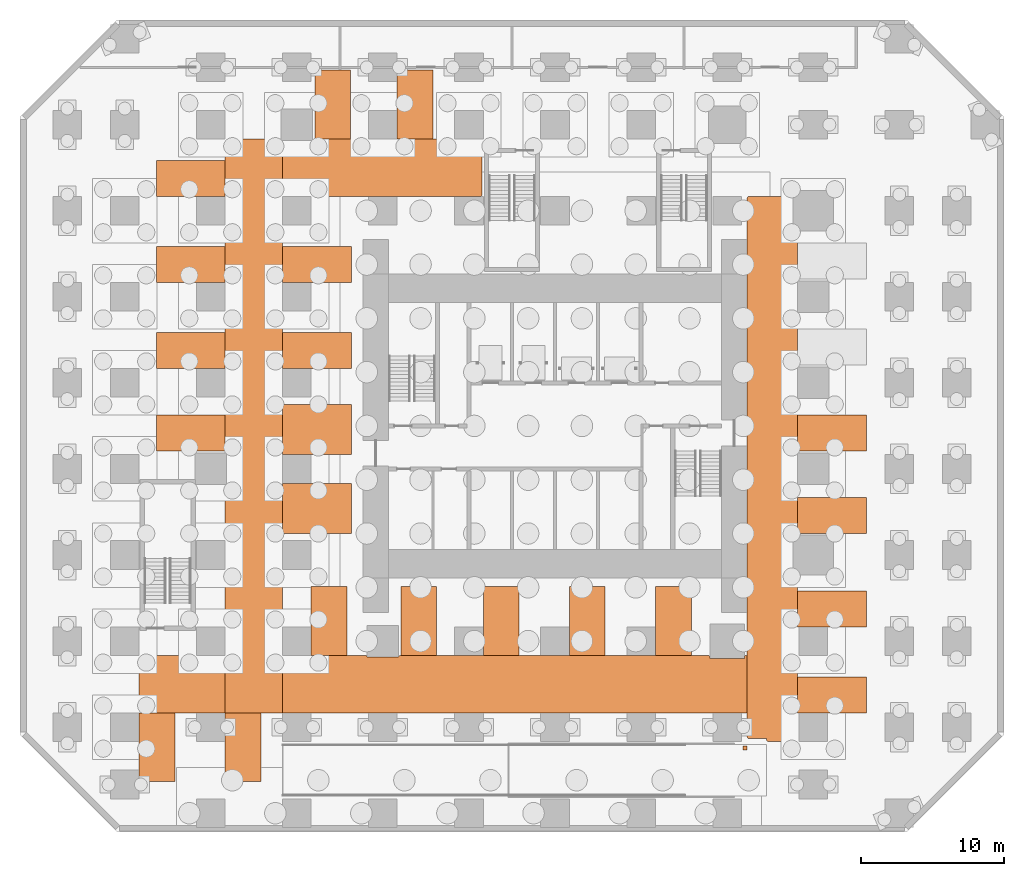
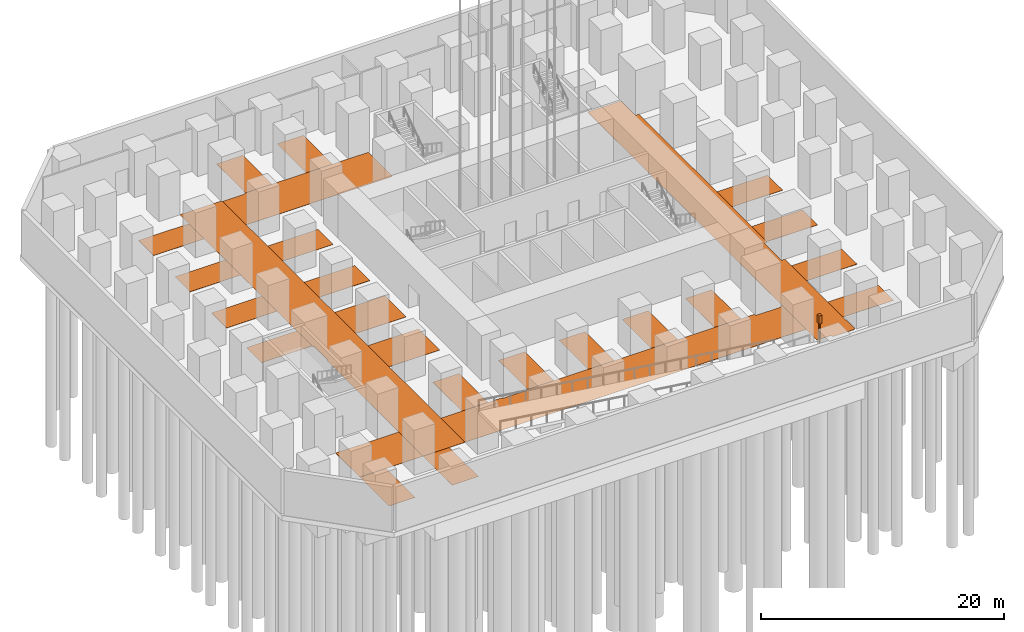
# One storey, part 8 of 11: 26 proxies.
"""IFC4 building model written with IfcOpenShell, lengths in metres."""

from ifc_helpers import new_model, si_unit, direction, frame, origin, origin_2d, place, context, subcontext, project, spatial, polyline, rectangle, outline, extrude, material, type_object, element, save


model = new_model("IFC4")

# Units and contexts
model_context = context("Model", 3, precision=1e-05, world=origin(), true_north=direction((0.0, 1.0)))
body_context = subcontext(model_context, "Body", "Model", "MODEL_VIEW")
ifc_project = project(units=[si_unit("LENGTHUNIT", "METRE"), si_unit("AREAUNIT", "SQUARE_METRE"), si_unit("VOLUMEUNIT", "CUBIC_METRE"), si_unit("PLANEANGLEUNIT", "RADIAN"), si_unit("MASSUNIT", "GRAM", prefix="KILO")], contexts=[model_context])

# Site, building, storey
site_placement = place(None, origin())
site = spatial("IfcSite", under=ifc_project, at=site_placement, CompositionType="ELEMENT")
building_placement = place(site_placement, origin())
building = spatial("IfcBuilding", under=site, at=building_placement, Name="Highveld Stack Headquarters", CompositionType="ELEMENT")
storey_placement = place(building_placement, frame((0.0, 0.0, -9.0)))
storey = spatial("IfcBuildingStorey", under=building, at=storey_placement, Name="B2", CompositionType="ELEMENT", Elevation=-9.0)

# Proxies
ifc_material_1 = material(Name="Marking paint")
building_element_proxy_type_1 = type_object("IfcBuildingElementProxyType", Name="ACCESSIBLE PARKING BAY MARKING", PredefinedType="USERDEFINED", material=ifc_material_1)
proxy_1_placement = place(storey_placement, origin())
element("IfcBuildingElementProxy", 1, at=proxy_1_placement, inside=storey, type_object=building_element_proxy_type_1, Name="Accessible parking bay marking B2-PA1", ObjectType="ACCESSIBLE PARKING BAY MARKING", PredefinedType="USERDEFINED", context=body_context, shape_type="SweptSolid", body=[
    extrude(outline(polyline([(-8.199951171875, 1.0), (-8.199951171875, 4.5), (-13.0, 4.5), (-13.0, 1.0), (-8.199951171875, 1.0)])), origin(), (0.0, 0.0, 1.0), 0.02001953125),
])
proxy_2_placement = place(storey_placement, origin())
element("IfcBuildingElementProxy", 2, at=proxy_2_placement, inside=storey, type_object=building_element_proxy_type_1, Name="Accessible parking bay marking B2-PA2", ObjectType="ACCESSIBLE PARKING BAY MARKING", PredefinedType="USERDEFINED", context=body_context, shape_type="SweptSolid", body=[
    extrude(outline(polyline([(-8.199951171875, -4.5), (-8.199951171875, -1.0), (-13.0, -1.0), (-13.0, -4.5), (-8.199951171875, -4.5)])), origin(), (0.0, 0.0, 1.0), 0.02001953125),
])
ifc_material_2 = material(Name="Marking paint")
building_element_proxy_type_2 = type_object("IfcBuildingElementProxyType", Name="CAR PARK DRIVE AISLE MARKING", PredefinedType="USERDEFINED", material=ifc_material_2)
proxy_3_placement = place(storey_placement, origin())
element("IfcBuildingElementProxy", 3, at=proxy_3_placement, inside=storey, type_object=building_element_proxy_type_2, Name="Car park drive aisle marking B2-D1", ObjectType="CAR PARK DRIVE AISLE MARKING", PredefinedType="USERDEFINED", context=body_context, shape_type="SweptSolid", body=[
    extrude(outline(polyline([(19.39990234375, 18.8798828125), (19.40087890625, 18.89208984375), (19.402099609375, 18.903076171875), (19.405029296875, 18.9150390625), (19.408935546875, 18.926025390625), (19.4140625, 18.93701171875), (19.419921875, 18.947021484375), (19.427001953125, 18.9560546875), (19.43505859375, 18.965087890625), (19.444091796875, 18.972900390625), (19.452880859375, 18.97998046875), (19.462890625, 18.986083984375), (19.47412109375, 18.990966796875), (19.485107421875, 18.9951171875), (19.4970703125, 18.998046875), (19.508056640625, 18.9990234375), (19.52001953125, 19.0), (22.47998046875, 19.0), (22.491943359375, 18.9990234375), (22.5029296875, 18.998046875), (22.514892578125, 18.9951171875), (22.52587890625, 18.990966796875), (22.537109375, 18.986083984375), (22.547119140625, 18.97998046875), (22.555908203125, 18.972900390625), (22.56494140625, 18.965087890625), (22.572998046875, 18.9560546875), (22.580078125, 18.947021484375), (22.5859375, 18.93701171875), (22.591064453125, 18.926025390625), (22.594970703125, 18.9150390625), (22.597900390625, 18.903076171875), (22.59912109375, 18.89208984375), (22.60009765625, 18.8798828125), (22.60009765625, 16.60302734375), (22.60009765625, 16.60009765625), (22.60302734375, 16.60009765625), (22.780029296875, 16.60009765625), (22.7919921875, 16.59912109375), (22.802978515625, 16.597900390625), (22.81494140625, 16.594970703125), (22.825927734375, 16.591064453125), (22.8369140625, 16.5859375), (22.846923828125, 16.580078125), (22.85595703125, 16.572998046875), (22.864990234375, 16.56494140625), (22.873046875, 16.555908203125), (22.8798828125, 16.547119140625), (22.885986328125, 16.537109375), (22.89111328125, 16.52587890625), (22.89501953125, 16.514892578125), (22.89794921875, 16.5029296875), (22.89892578125, 16.491943359375), (22.89990234375, 16.47998046875), (22.89990234375, -4.47998046875), (22.89892578125, -4.491943359375), (22.89794921875, -4.5029296875), (22.89501953125, -4.514892578125), (22.89111328125, -4.52587890625), (22.885986328125, -4.537109375), (22.8798828125, -4.547119140625), (22.873046875, -4.555908203125), (22.864990234375, -4.56494140625), (22.85595703125, -4.572998046875), (22.846923828125, -4.580078125), (22.8369140625, -4.5859375), (22.825927734375, -4.591064453125), (22.81494140625, -4.594970703125), (22.802978515625, -4.597900390625), (22.7919921875, -4.59912109375), (22.780029296875, -4.60009765625), (22.60302734375, -4.60009765625), (22.60009765625, -4.60009765625), (22.60009765625, -4.60302734375), (22.60009765625, -7.39697265625), (22.60009765625, -7.39990234375), (22.60302734375, -7.39990234375), (22.780029296875, -7.39990234375), (22.7919921875, -7.40087890625), (22.802978515625, -7.402099609375), (22.81494140625, -7.405029296875), (22.825927734375, -7.408935546875), (22.8369140625, -7.4140625), (22.846923828125, -7.419921875), (22.85595703125, -7.427001953125), (22.864990234375, -7.43505859375), (22.873046875, -7.444091796875), (22.8798828125, -7.452880859375), (22.885986328125, -7.462890625), (22.89111328125, -7.47412109375), (22.89501953125, -7.485107421875), (22.89794921875, -7.4970703125), (22.89892578125, -7.508056640625), (22.89990234375, -7.52001953125), (22.89990234375, -18.8798828125), (22.89892578125, -18.89208984375), (22.89794921875, -18.903076171875), (22.89501953125, -18.9150390625), (22.89111328125, -18.926025390625), (22.885986328125, -18.93701171875), (22.8798828125, -18.947021484375), (22.873046875, -18.9560546875), (22.864990234375, -18.965087890625), (22.85595703125, -18.972900390625), (22.846923828125, -18.97998046875), (22.8369140625, -18.986083984375), (22.825927734375, -18.990966796875), (22.81494140625, -18.9951171875), (22.802978515625, -18.998046875), (22.7919921875, -18.9990234375), (22.780029296875, -19.0), (20.8701171875, -19.0), (20.85791015625, -18.9990234375), (20.846923828125, -18.998046875), (20.8349609375, -18.9951171875), (20.823974609375, -18.990966796875), (20.81298828125, -18.986083984375), (20.802978515625, -18.97998046875), (20.7939453125, -18.972900390625), (20.784912109375, -18.965087890625), (20.777099609375, -18.9560546875), (20.77001953125, -18.947021484375), (20.763916015625, -18.93701171875), (20.759033203125, -18.926025390625), (20.7548828125, -18.9150390625), (20.751953125, -18.903076171875), (20.7509765625, -18.89208984375), (20.75, -18.8798828125), (20.75, -18.802978515625), (20.75, -18.800048828125), (20.7470703125, -18.800048828125), (19.52001953125, -18.800048828125), (19.508056640625, -18.799072265625), (19.4970703125, -18.798095703125), (19.485107421875, -18.794921875), (19.47412109375, -18.791015625), (19.462890625, -18.785888671875), (19.452880859375, -18.780029296875), (19.444091796875, -18.77294921875), (19.43505859375, -18.764892578125), (19.427001953125, -18.756103515625), (19.419921875, -18.7470703125), (19.4140625, -18.737060546875), (19.408935546875, -18.72607421875), (19.405029296875, -18.715087890625), (19.402099609375, -18.702880859375), (19.40087890625, -18.69189453125), (19.39990234375, -18.679931640625), (19.39990234375, -17.0029296875), (19.39990234375, -12.9970703125), (19.39990234375, 18.8798828125)])), origin(), (0.0, 0.0, 1.0), 0.02001953125),
])
proxy_4_placement = place(storey_placement, origin())
element("IfcBuildingElementProxy", 4, at=proxy_4_placement, inside=storey, type_object=building_element_proxy_type_2, Name="Car park drive aisle marking B2-D2", ObjectType="CAR PARK DRIVE AISLE MARKING", PredefinedType="USERDEFINED", context=body_context, shape_type="SweptSolid", body=[
    extrude(outline(polyline([(-7.218017578125, -13.0), (-7.20703125, -13.0009765625), (-7.196044921875, -13.001953125), (-7.18408203125, -13.0048828125), (-7.174072265625, -13.009033203125), (-7.1630859375, -13.012939453125), (-7.154052734375, -13.01904296875), (-7.14404296875, -13.02587890625), (-7.135986328125, -13.032958984375), (-7.1279296875, -13.041015625), (-7.12109375, -13.050048828125), (-7.114013671875, -13.06005859375), (-7.10888671875, -13.070068359375), (-7.10498046875, -13.080078125), (-7.10205078125, -13.091064453125), (-7.10009765625, -13.097900390625), (-7.10009765625, -13.10009765625), (-7.096923828125, -13.10009765625), (-4.903076171875, -13.10009765625), (-4.89990234375, -13.10009765625), (-4.89990234375, -13.097900390625), (-4.89794921875, -13.091064453125), (-4.89501953125, -13.080078125), (-4.89111328125, -13.070068359375), (-4.885986328125, -13.06005859375), (-4.87890625, -13.050048828125), (-4.8720703125, -13.041015625), (-4.864013671875, -13.032958984375), (-4.85595703125, -13.02587890625), (-4.845947265625, -13.01904296875), (-4.8369140625, -13.012939453125), (-4.825927734375, -13.009033203125), (-4.81591796875, -13.0048828125), (-4.803955078125, -13.001953125), (-4.79296875, -13.0009765625), (-4.781982421875, -13.0), (16.679931640625, -13.0), (16.69189453125, -13.0009765625), (16.702880859375, -13.001953125), (16.715087890625, -13.0048828125), (16.72607421875, -13.009033203125), (16.737060546875, -13.013916015625), (16.7470703125, -13.02001953125), (16.756103515625, -13.027099609375), (16.764892578125, -13.034912109375), (16.77294921875, -13.0439453125), (16.780029296875, -13.052978515625), (16.785888671875, -13.06298828125), (16.791015625, -13.073974609375), (16.794921875, -13.0849609375), (16.798095703125, -13.096923828125), (16.799072265625, -13.10791015625), (16.800048828125, -13.1201171875), (16.800048828125, -13.197021484375), (16.800048828125, -13.199951171875), (16.802978515625, -13.199951171875), (19.197021484375, -13.199951171875), (19.199951171875, -13.199951171875), (19.199951171875, -13.197021484375), (19.199951171875, -13.1201171875), (19.200927734375, -13.10791015625), (19.201904296875, -13.096923828125), (19.205078125, -13.0849609375), (19.208984375, -13.073974609375), (19.214111328125, -13.06298828125), (19.219970703125, -13.052978515625), (19.22705078125, -13.0439453125), (19.235107421875, -13.034912109375), (19.243896484375, -13.027099609375), (19.2529296875, -13.02001953125), (19.262939453125, -13.013916015625), (19.27392578125, -13.009033203125), (19.284912109375, -13.0048828125), (19.297119140625, -13.001953125), (19.30810546875, -13.0009765625), (19.320068359375, -13.0), (19.39697265625, -13.0), (19.39990234375, -13.0), (19.39990234375, -17.0), (19.39697265625, -17.0), (-22.8798828125, -17.0), (-22.89208984375, -16.9990234375), (-22.903076171875, -16.998046875), (-22.9150390625, -16.9951171875), (-22.926025390625, -16.990966796875), (-22.93701171875, -16.986083984375), (-22.947021484375, -16.97998046875), (-22.9560546875, -16.972900390625), (-22.965087890625, -16.965087890625), (-22.972900390625, -16.9560546875), (-22.97998046875, -16.947021484375), (-22.986083984375, -16.93701171875), (-22.990966796875, -16.926025390625), (-22.9951171875, -16.9150390625), (-22.998046875, -16.903076171875), (-22.9990234375, -16.89208984375), (-23.0, -16.8798828125), (-23.0, -13.1201171875), (-22.9990234375, -13.10791015625), (-22.998046875, -13.096923828125), (-22.9951171875, -13.0849609375), (-22.990966796875, -13.073974609375), (-22.986083984375, -13.06298828125), (-22.97998046875, -13.052978515625), (-22.972900390625, -13.0439453125), (-22.965087890625, -13.034912109375), (-22.9560546875, -13.027099609375), (-22.947021484375, -13.02001953125), (-22.93701171875, -13.013916015625), (-22.926025390625, -13.009033203125), (-22.9150390625, -13.0048828125), (-22.903076171875, -13.001953125), (-22.89208984375, -13.0009765625), (-22.8798828125, -13.0), (-17.0029296875, -13.0), (-12.9970703125, -13.0), (-7.218017578125, -13.0)])), origin(), (0.0, 0.0, 1.0), 0.02001953125),
])
proxy_5_placement = place(storey_placement, origin())
element("IfcBuildingElementProxy", 5, at=proxy_5_placement, inside=storey, type_object=building_element_proxy_type_2, Name="Car park drive aisle marking B2-D3", ObjectType="CAR PARK DRIVE AISLE MARKING", PredefinedType="USERDEFINED", context=body_context, shape_type="SweptSolid", body=[
    extrude(outline(polyline([(-17.0, -1.218017578125), (-16.9990234375, -1.20703125), (-16.998046875, -1.196044921875), (-16.9951171875, -1.18408203125), (-16.990966796875, -1.174072265625), (-16.987060546875, -1.1630859375), (-16.98095703125, -1.154052734375), (-16.97412109375, -1.14404296875), (-16.967041015625, -1.135986328125), (-16.958984375, -1.1279296875), (-16.949951171875, -1.12109375), (-16.93994140625, -1.114013671875), (-16.929931640625, -1.10888671875), (-16.919921875, -1.10498046875), (-16.908935546875, -1.10205078125), (-16.902099609375, -1.10009765625), (-16.89990234375, -1.10009765625), (-16.89990234375, -1.096923828125), (-16.89990234375, 1.096923828125), (-16.89990234375, 1.10009765625), (-16.902099609375, 1.10009765625), (-16.908935546875, 1.10205078125), (-16.919921875, 1.10498046875), (-16.929931640625, 1.10888671875), (-16.93994140625, 1.114013671875), (-16.949951171875, 1.12109375), (-16.958984375, 1.1279296875), (-16.967041015625, 1.135986328125), (-16.97412109375, 1.14404296875), (-16.98095703125, 1.154052734375), (-16.987060546875, 1.1630859375), (-16.990966796875, 1.174072265625), (-16.9951171875, 1.18408203125), (-16.998046875, 1.196044921875), (-16.9990234375, 1.20703125), (-17.0, 1.218017578125), (-17.0, 22.8798828125), (-16.9990234375, 22.89208984375), (-16.998046875, 22.903076171875), (-16.9951171875, 22.9150390625), (-16.990966796875, 22.926025390625), (-16.986083984375, 22.93701171875), (-16.97998046875, 22.947021484375), (-16.972900390625, 22.9560546875), (-16.965087890625, 22.965087890625), (-16.9560546875, 22.972900390625), (-16.947021484375, 22.97998046875), (-16.93701171875, 22.986083984375), (-16.926025390625, 22.990966796875), (-16.9150390625, 22.9951171875), (-16.903076171875, 22.998046875), (-16.89208984375, 22.9990234375), (-16.8798828125, 23.0), (-13.218017578125, 23.0), (-13.20703125, 22.9990234375), (-13.196044921875, 22.998046875), (-13.18408203125, 22.9951171875), (-13.174072265625, 22.990966796875), (-13.1630859375, 22.987060546875), (-13.154052734375, 22.98095703125), (-13.14404296875, 22.97412109375), (-13.135986328125, 22.967041015625), (-13.1279296875, 22.958984375), (-13.12109375, 22.949951171875), (-13.114013671875, 22.93994140625), (-13.10888671875, 22.929931640625), (-13.10498046875, 22.919921875), (-13.10205078125, 22.908935546875), (-13.10009765625, 22.902099609375), (-13.10009765625, 22.89990234375), (-13.096923828125, 22.89990234375), (-13.0, 22.89990234375), (-13.0, 18.9970703125), (-13.0, -12.9970703125), (-13.0, -17.0), (-17.0, -17.0), (-17.0, -12.9970703125), (-17.0, -1.218017578125)])), origin(), (0.0, 0.0, 1.0), 0.02001953125),
])
proxy_6_placement = place(storey_placement, origin())
element("IfcBuildingElementProxy", 6, at=proxy_6_placement, inside=storey, type_object=building_element_proxy_type_2, Name="Car park drive aisle marking B2-D4", ObjectType="CAR PARK DRIVE AISLE MARKING", PredefinedType="USERDEFINED", context=body_context, shape_type="SweptSolid", body=[
    extrude(outline(polyline([(-10.903076171875, 22.89990234375), (-10.89990234375, 22.89990234375), (-10.89990234375, 22.902099609375), (-10.89794921875, 22.908935546875), (-10.89501953125, 22.919921875), (-10.89111328125, 22.929931640625), (-10.885986328125, 22.93994140625), (-10.87890625, 22.949951171875), (-10.8720703125, 22.958984375), (-10.864013671875, 22.967041015625), (-10.85595703125, 22.97412109375), (-10.845947265625, 22.98095703125), (-10.8369140625, 22.987060546875), (-10.825927734375, 22.990966796875), (-10.81591796875, 22.9951171875), (-10.803955078125, 22.998046875), (-10.79296875, 22.9990234375), (-10.781982421875, 23.0), (0.780029296875, 23.0), (0.7919921875, 22.9990234375), (0.802978515625, 22.998046875), (0.81494140625, 22.9951171875), (0.825927734375, 22.990966796875), (0.8369140625, 22.986083984375), (0.846923828125, 22.97998046875), (0.85595703125, 22.972900390625), (0.864990234375, 22.965087890625), (0.873046875, 22.9560546875), (0.8798828125, 22.947021484375), (0.885986328125, 22.93701171875), (0.89111328125, 22.926025390625), (0.89501953125, 22.9150390625), (0.89794921875, 22.903076171875), (0.89892578125, 22.89208984375), (0.89990234375, 22.8798828125), (0.89990234375, 19.1201171875), (0.89892578125, 19.10791015625), (0.89794921875, 19.096923828125), (0.89501953125, 19.0849609375), (0.89111328125, 19.073974609375), (0.885986328125, 19.06298828125), (0.8798828125, 19.052978515625), (0.873046875, 19.0439453125), (0.864990234375, 19.034912109375), (0.85595703125, 19.027099609375), (0.846923828125, 19.02001953125), (0.8369140625, 19.013916015625), (0.825927734375, 19.009033203125), (0.81494140625, 19.0048828125), (0.802978515625, 19.001953125), (0.7919921875, 19.0009765625), (0.780029296875, 19.0), (-12.9970703125, 19.0), (-13.0, 19.0), (-13.0, 22.89990234375), (-10.903076171875, 22.89990234375)])), origin(), (0.0, 0.0, 1.0), 0.02001953125),
])
ifc_material_3 = material(Name="Marking paint")
building_element_proxy_type_3 = type_object("IfcBuildingElementProxyType", Name="PARKING BAY MARKING", PredefinedType="USERDEFINED", material=ifc_material_3)
proxy_7_placement = place(storey_placement, origin())
element("IfcBuildingElementProxy", 7, at=proxy_7_placement, inside=storey, type_object=building_element_proxy_type_3, Name="Parking bay marking B2-P01", ObjectType="PARKING BAY MARKING", PredefinedType="USERDEFINED", context=body_context, shape_type="SweptSolid", body=[
    extrude(outline(polyline([(27.699951171875, -17.0), (27.699951171875, -14.5), (22.89990234375, -14.5), (22.89990234375, -17.0), (27.699951171875, -17.0)])), origin(), (0.0, 0.0, 1.0), 0.02001953125),
])
proxy_8_placement = place(storey_placement, origin())
element("IfcBuildingElementProxy", 8, at=proxy_8_placement, inside=storey, type_object=building_element_proxy_type_3, Name="Parking bay marking B2-P02", ObjectType="PARKING BAY MARKING", PredefinedType="USERDEFINED", context=body_context, shape_type="SweptSolid", body=[
    extrude(outline(polyline([(27.699951171875, -11.0), (27.699951171875, -8.5), (22.89990234375, -8.5), (22.89990234375, -11.0), (27.699951171875, -11.0)])), origin(), (0.0, 0.0, 1.0), 0.02001953125),
])
proxy_9_placement = place(storey_placement, origin())
element("IfcBuildingElementProxy", 9, at=proxy_9_placement, inside=storey, type_object=building_element_proxy_type_3, Name="Parking bay marking B2-P03", ObjectType="PARKING BAY MARKING", PredefinedType="USERDEFINED", context=body_context, shape_type="SweptSolid", body=[
    extrude(outline(polyline([(27.699951171875, -4.5), (27.699951171875, -2.0), (22.89990234375, -2.0), (22.89990234375, -4.5), (27.699951171875, -4.5)])), origin(), (0.0, 0.0, 1.0), 0.02001953125),
])
proxy_10_placement = place(storey_placement, origin())
element("IfcBuildingElementProxy", 10, at=proxy_10_placement, inside=storey, type_object=building_element_proxy_type_3, Name="Parking bay marking B2-P04", ObjectType="PARKING BAY MARKING", PredefinedType="USERDEFINED", context=body_context, shape_type="SweptSolid", body=[
    extrude(outline(polyline([(27.699951171875, 1.25), (27.699951171875, 3.75), (22.89990234375, 3.75), (22.89990234375, 1.25), (27.699951171875, 1.25)])), origin(), (0.0, 0.0, 1.0), 0.02001953125),
])
proxy_11_placement = place(storey_placement, origin())
element("IfcBuildingElementProxy", 11, at=proxy_11_placement, inside=storey, type_object=building_element_proxy_type_3, Name="Parking bay marking B2-P07", ObjectType="PARKING BAY MARKING", PredefinedType="USERDEFINED", context=body_context, shape_type="SweptSolid", body=[
    extrude(outline(polyline([(-8.5, -13.0), (-8.5, -8.199951171875), (-11.0, -8.199951171875), (-11.0, -13.0), (-8.5, -13.0)])), origin(), (0.0, 0.0, 1.0), 0.02001953125),
])
proxy_12_placement = place(storey_placement, origin())
element("IfcBuildingElementProxy", 12, at=proxy_12_placement, inside=storey, type_object=building_element_proxy_type_3, Name="Parking bay marking B2-P08", ObjectType="PARKING BAY MARKING", PredefinedType="USERDEFINED", context=body_context, shape_type="SweptSolid", body=[
    extrude(outline(polyline([(-2.25, -13.0), (-2.25, -8.199951171875), (-4.75, -8.199951171875), (-4.75, -13.0), (-2.25, -13.0)])), origin(), (0.0, 0.0, 1.0), 0.02001953125),
])
proxy_13_placement = place(storey_placement, origin())
element("IfcBuildingElementProxy", 13, at=proxy_13_placement, inside=storey, type_object=building_element_proxy_type_3, Name="Parking bay marking B2-P09", ObjectType="PARKING BAY MARKING", PredefinedType="USERDEFINED", context=body_context, shape_type="SweptSolid", body=[
    extrude(outline(polyline([(3.5, -13.0), (3.5, -8.199951171875), (1.0, -8.199951171875), (1.0, -13.0), (3.5, -13.0)])), origin(), (0.0, 0.0, 1.0), 0.02001953125),
])
proxy_14_placement = place(storey_placement, origin())
element("IfcBuildingElementProxy", 14, at=proxy_14_placement, inside=storey, type_object=building_element_proxy_type_3, Name="Parking bay marking B2-P10", ObjectType="PARKING BAY MARKING", PredefinedType="USERDEFINED", context=body_context, shape_type="SweptSolid", body=[
    extrude(outline(polyline([(9.5, -13.0), (9.5, -8.199951171875), (7.0, -8.199951171875), (7.0, -13.0), (9.5, -13.0)])), origin(), (0.0, 0.0, 1.0), 0.02001953125),
])
proxy_15_placement = place(storey_placement, origin())
element("IfcBuildingElementProxy", 15, at=proxy_15_placement, inside=storey, type_object=building_element_proxy_type_3, Name="Parking bay marking B2-P11", ObjectType="PARKING BAY MARKING", PredefinedType="USERDEFINED", context=body_context, shape_type="SweptSolid", body=[
    extrude(outline(polyline([(15.5, -13.0), (15.5, -8.199951171875), (13.0, -8.199951171875), (13.0, -13.0), (15.5, -13.0)])), origin(), (0.0, 0.0, 1.0), 0.02001953125),
])
proxy_16_placement = place(storey_placement, origin())
element("IfcBuildingElementProxy", 16, at=proxy_16_placement, inside=storey, type_object=building_element_proxy_type_3, Name="Parking bay marking B2-P12", ObjectType="PARKING BAY MARKING", PredefinedType="USERDEFINED", context=body_context, shape_type="SweptSolid", body=[
    extrude(outline(polyline([(-20.5, -21.800048828125), (-20.5, -17.0), (-23.0, -17.0), (-23.0, -21.800048828125), (-20.5, -21.800048828125)])), origin(), (0.0, 0.0, 1.0), 0.02001953125),
])
proxy_17_placement = place(storey_placement, origin())
element("IfcBuildingElementProxy", 17, at=proxy_17_placement, inside=storey, type_object=building_element_proxy_type_3, Name="Parking bay marking B2-P13", ObjectType="PARKING BAY MARKING", PredefinedType="USERDEFINED", context=body_context, shape_type="SweptSolid", body=[
    extrude(outline(polyline([(-14.5, -21.800048828125), (-14.5, -17.0), (-17.0, -17.0), (-17.0, -21.800048828125), (-14.5, -21.800048828125)])), origin(), (0.0, 0.0, 1.0), 0.02001953125),
])
proxy_18_placement = place(storey_placement, origin())
element("IfcBuildingElementProxy", 18, at=proxy_18_placement, inside=storey, type_object=building_element_proxy_type_3, Name="Parking bay marking B2-P14", ObjectType="PARKING BAY MARKING", PredefinedType="USERDEFINED", context=body_context, shape_type="SweptSolid", body=[
    extrude(outline(polyline([(-17.0, 1.25), (-17.0, 3.75), (-21.800048828125, 3.75), (-21.800048828125, 1.25), (-17.0, 1.25)])), origin(), (0.0, 0.0, 1.0), 0.02001953125),
])
proxy_19_placement = place(storey_placement, origin())
element("IfcBuildingElementProxy", 19, at=proxy_19_placement, inside=storey, type_object=building_element_proxy_type_3, Name="Parking bay marking B2-P15", ObjectType="PARKING BAY MARKING", PredefinedType="USERDEFINED", context=body_context, shape_type="SweptSolid", body=[
    extrude(outline(polyline([(-17.0, 7.0), (-17.0, 9.5), (-21.800048828125, 9.5), (-21.800048828125, 7.0), (-17.0, 7.0)])), origin(), (0.0, 0.0, 1.0), 0.02001953125),
])
proxy_20_placement = place(storey_placement, origin())
element("IfcBuildingElementProxy", 20, at=proxy_20_placement, inside=storey, type_object=building_element_proxy_type_3, Name="Parking bay marking B2-P16", ObjectType="PARKING BAY MARKING", PredefinedType="USERDEFINED", context=body_context, shape_type="SweptSolid", body=[
    extrude(outline(polyline([(-17.0, 13.0), (-17.0, 15.5), (-21.800048828125, 15.5), (-21.800048828125, 13.0), (-17.0, 13.0)])), origin(), (0.0, 0.0, 1.0), 0.02001953125),
])
proxy_21_placement = place(storey_placement, origin())
element("IfcBuildingElementProxy", 21, at=proxy_21_placement, inside=storey, type_object=building_element_proxy_type_3, Name="Parking bay marking B2-P17", ObjectType="PARKING BAY MARKING", PredefinedType="USERDEFINED", context=body_context, shape_type="SweptSolid", body=[
    extrude(outline(polyline([(-17.0, 19.0), (-17.0, 21.5), (-21.800048828125, 21.5), (-21.800048828125, 19.0), (-17.0, 19.0)])), origin(), (0.0, 0.0, 1.0), 0.02001953125),
])
proxy_22_placement = place(storey_placement, origin())
element("IfcBuildingElementProxy", 22, at=proxy_22_placement, inside=storey, type_object=building_element_proxy_type_3, Name="Parking bay marking B2-P18", ObjectType="PARKING BAY MARKING", PredefinedType="USERDEFINED", context=body_context, shape_type="SweptSolid", body=[
    extrude(outline(polyline([(-8.199951171875, 7.0), (-8.199951171875, 9.5), (-13.0, 9.5), (-13.0, 7.0), (-8.199951171875, 7.0)])), origin(), (0.0, 0.0, 1.0), 0.02001953125),
])
proxy_23_placement = place(storey_placement, origin())
element("IfcBuildingElementProxy", 23, at=proxy_23_placement, inside=storey, type_object=building_element_proxy_type_3, Name="Parking bay marking B2-P19", ObjectType="PARKING BAY MARKING", PredefinedType="USERDEFINED", context=body_context, shape_type="SweptSolid", body=[
    extrude(outline(polyline([(-8.199951171875, 13.0), (-8.199951171875, 15.5), (-13.0, 15.5), (-13.0, 13.0), (-8.199951171875, 13.0)])), origin(), (0.0, 0.0, 1.0), 0.02001953125),
])
proxy_24_placement = place(storey_placement, origin())
element("IfcBuildingElementProxy", 24, at=proxy_24_placement, inside=storey, type_object=building_element_proxy_type_3, Name="Parking bay marking B2-P20", ObjectType="PARKING BAY MARKING", PredefinedType="USERDEFINED", context=body_context, shape_type="SweptSolid", body=[
    extrude(outline(polyline([(-8.25, 23.0), (-8.25, 27.800048828125), (-10.75, 27.800048828125), (-10.75, 23.0), (-8.25, 23.0)])), origin(), (0.0, 0.0, 1.0), 0.02001953125),
])
proxy_25_placement = place(storey_placement, origin())
element("IfcBuildingElementProxy", 25, at=proxy_25_placement, inside=storey, type_object=building_element_proxy_type_3, Name="Parking bay marking B2-P21", ObjectType="PARKING BAY MARKING", PredefinedType="USERDEFINED", context=body_context, shape_type="SweptSolid", body=[
    extrude(outline(polyline([(-2.5, 23.0), (-2.5, 27.800048828125), (-5.0, 27.800048828125), (-5.0, 23.0), (-2.5, 23.0)])), origin(), (0.0, 0.0, 1.0), 0.02001953125),
])
ifc_material_4 = material(Name="Steel S355", Category="steel")
building_element_proxy_type_4 = type_object("IfcBuildingElementProxyType", Name="TRAFFIC SIGNAL HEAD", PredefinedType="USERDEFINED", material=ifc_material_4)
proxy_26_placement = place(storey_placement, frame((19.25, -19.449951171875, 0.208251953125), z_axis=(0.0, 0.0, 1.0), x_axis=(1.0, 0.0, 0.0)))
element("IfcBuildingElementProxy", 26, at=proxy_26_placement, inside=storey, type_object=building_element_proxy_type_4, Name="Traffic signal R2-S2", ObjectType="TRAFFIC SIGNAL HEAD", PredefinedType="USERDEFINED", context=body_context, shape_type="SweptSolid", body=[
    extrude(rectangle(XDim=0.1201171875, YDim=0.1201171875, at=origin_2d()), origin(), (0.0, 0.0, 1.0), 2.0),
    extrude(rectangle(XDim=0.300048828125, YDim=0.300048828125, at=origin_2d()), frame((0.0, 0.0, 1.9998779296875)), (0.0, 0.0, 1.0), 0.800048828125),
])

save(model, "model.ifc")
